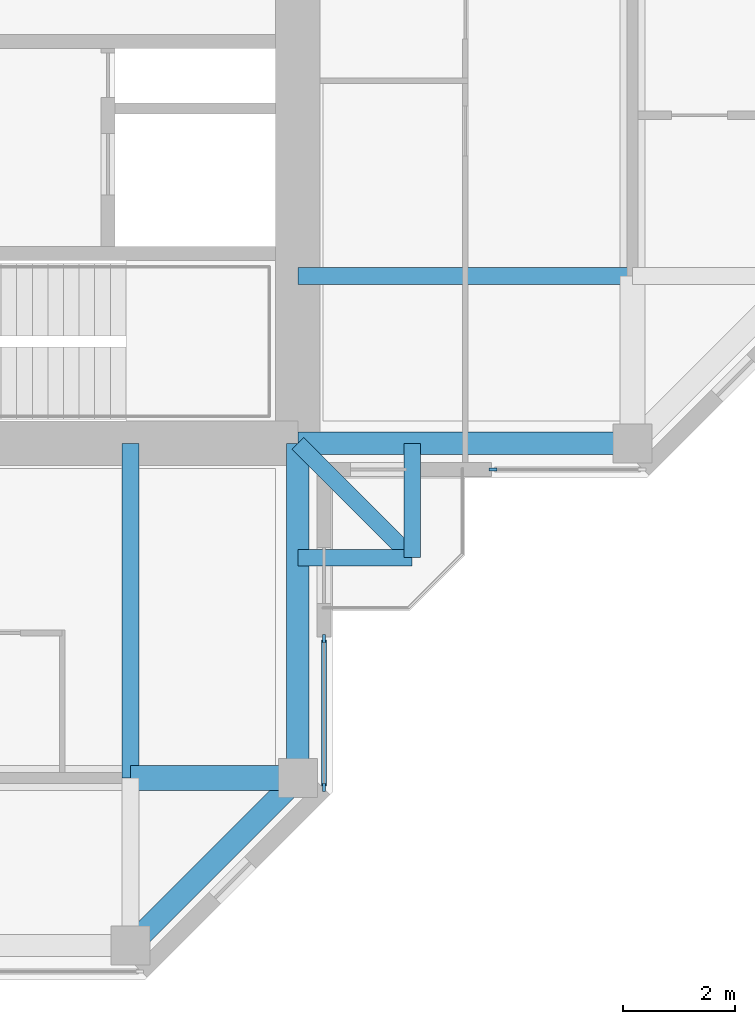
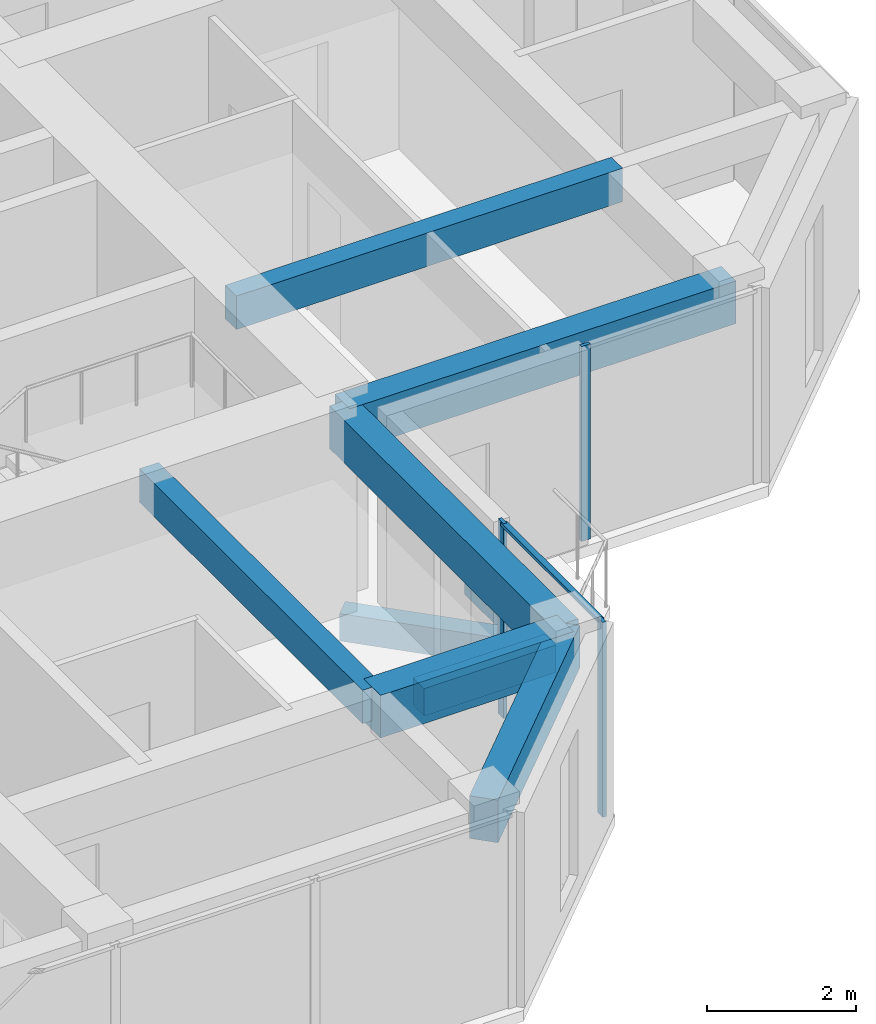
# One storey, part 3 of 13: 9 beams, 4 members, 2 elements without a shape of their own.
"""IFC4 building model written with IfcOpenShell, lengths in metres."""

from ifc_helpers import new_model, si_unit, direction, frame, origin, origin_2d, place, context, subcontext, project, spatial, rectangle, extrude, material, material_profile, profile_set, type_object, element, aggregate, save


model = new_model("IFC4")

# Units and contexts
model_context = context("Model", 3, precision=1e-05, world=origin(), true_north=direction((0.0, 1.0)))
body_context = subcontext(model_context, "Body", "Model", "MODEL_VIEW")
ifc_project = project(units=[si_unit("LENGTHUNIT", "METRE"), si_unit("AREAUNIT", "SQUARE_METRE"), si_unit("VOLUMEUNIT", "CUBIC_METRE"), si_unit("PLANEANGLEUNIT", "RADIAN"), si_unit("MASSUNIT", "GRAM", prefix="KILO")], contexts=[model_context])

# Site, building, storey
site_placement = place(None, origin())
site = spatial("IfcSite", under=ifc_project, at=site_placement, CompositionType="ELEMENT")
building_placement = place(site_placement, origin())
building = spatial("IfcBuilding", under=site, at=building_placement, Name="Torre Cruceta", CompositionType="ELEMENT")
storey_placement = place(building_placement, frame((0.0, 0.0, 284.89990234375)))
storey = spatial("IfcBuildingStorey", under=building, at=storey_placement, Name="L74", CompositionType="ELEMENT", Elevation=284.89990234375)

# Beams
ifc_material_1 = material(Name="Concrete G60 (fck 60 MPa)", Category="concrete")
ifc_material_profile_1 = material_profile(ifc_material_1, rectangle(XDim=0.300048828125, YDim=0.449951171875, at=origin_2d()), Name="RC 300X450")
ifc_profile_set_1 = profile_set([ifc_material_profile_1], Name="Concrete G60 (fck 60 MPa)")
beam_type_1 = type_object("IfcBeamType", Name="BALCONY CANTILEVER BEAM RC 300X450", PredefinedType="BEAM", material=ifc_profile_set_1)
beam_1_placement = place(storey_placement, frame((9.0, -9.0, -0.40478515625), z_axis=(0.707106781187, -0.707106781187, 0.0), x_axis=(0.707106781187, 0.707106781187, 0.0)))
element("IfcBeam", 1, at=beam_1_placement, inside=storey, type_object=beam_type_1, Name="BB1 balcony beam L74 S", PredefinedType="BEAM", context=body_context, shape_type="SweptSolid", body=[
    extrude(rectangle(XDim=0.300048828125, YDim=0.449951171875, at=origin_2d()), origin(), (0.0, 0.0, 1.0), 2.89990234375),
])
for number, where, z_axis, x_axis, name in (
    (2, (11.050537109375, -9.0, -0.40478515625), (0.0, -1.0, 0.0), (1.0, 0.0, 0.0), "BB1 balcony edge beam L74 S-X"),
    (3, (9.0, -11.050537109375, -0.40478515625), (1.0, 0.0, 0.0), (0.0, 1.0, 0.0), "BB1 balcony edge beam L74 S-Y"),
):
    element("IfcBeam", number, at=place(storey_placement, frame(where, z_axis=z_axis, x_axis=x_axis)), inside=storey, type_object=beam_type_1, Name=name, PredefinedType="BEAM", context=body_context, shape_type="SweptSolid", body=[
        extrude(rectangle(XDim=0.300048828125, YDim=0.449951171875, at=origin_2d()), origin(), (0.0, 0.0, 1.0), 2.050537109375),
    ])
ifc_material_2 = material(Name="Concrete G60 (fck 60 MPa)", Category="concrete")
ifc_material_profile_2 = material_profile(ifc_material_2, rectangle(XDim=0.300048828125, YDim=0.550048828125, at=origin_2d()), Name="RC 300X550")
ifc_profile_set_2 = profile_set([ifc_material_profile_2], Name="Concrete G60 (fck 60 MPa)")
beam_type_2 = type_object("IfcBeamType", Name="COLUMN LINE BEAM RC 300X550", PredefinedType="BEAM", material=ifc_profile_set_2)
for number, where, z_axis, x_axis, name in (
    (4, (9.0, -6.0, 2.925048828125), (1.0, 0.0, 0.0), (0.0, 1.0, 0.0), "LB10 L74 E col- 1"),
    (5, (6.0, -9.0, 2.925048828125), (0.0, -1.0, 0.0), (1.0, 0.0, 0.0), "LB10 L74 S col+ 1"),
):
    element("IfcBeam", number, at=place(storey_placement, frame(where, z_axis=z_axis, x_axis=x_axis)), inside=storey, type_object=beam_type_2, Name=name, PredefinedType="BEAM", context=body_context, shape_type="SweptSolid", body=[
        extrude(rectangle(XDim=0.300048828125, YDim=0.550048828125, at=origin_2d()), origin(), (0.0, 0.0, 1.0), 6.0),
    ])
ifc_material_3 = material(Name="Concrete G60 (fck 60 MPa)", Category="concrete")
ifc_material_profile_3 = material_profile(ifc_material_3, rectangle(XDim=0.449951171875, YDim=0.699951171875, at=origin_2d()), Name="RC 450X700")
ifc_profile_set_3 = profile_set([ifc_material_profile_3], Name="Concrete G60 (fck 60 MPa)")
beam_type_3 = type_object("IfcBeamType", Name="CROSS BEAM RC 450X700", PredefinedType="BEAM", material=ifc_profile_set_3)
beam_2_placement = place(storey_placement, frame((6.0, -15.0, 2.85009765625), z_axis=(1.0, 0.0, 0.0), x_axis=(0.0, 1.0, 0.0)))
element("IfcBeam", 6, at=beam_2_placement, inside=storey, type_object=beam_type_3, Name="GB8 L74 S cross15 4", PredefinedType="BEAM", context=body_context, shape_type="SweptSolid", body=[
    extrude(rectangle(XDim=0.449951171875, YDim=0.699951171875, at=origin_2d()), origin(), (0.0, 0.0, 1.0), 3.0),
])

# Curtain wall, member
ifc_material_4 = material(Name="Aluminium unitised curtain wall", Category="aluminium")
curtain_wall_type = type_object("IfcCurtainWallType", Name="CURTAIN WALL CW-E CO-LIVING TOP", PredefinedType="USERDEFINED", material=ifc_material_4)
curtain_wall_1_placement = place(storey_placement, origin())
curtain_wall_1 = element("IfcCurtainWall", 7, at=curtain_wall_1_placement, inside=storey, type_object=curtain_wall_type, Name="CW-E L74 E side 00", ObjectType="UNITISED", PredefinedType="USERDEFINED")
ifc_material_5 = material(Name="Aluminium mullion", Category="aluminium")
ifc_material_profile_4 = material_profile(ifc_material_5, rectangle(XDim=0.054931640625, YDim=0.139892578125, at=origin_2d()), Name="AL 55X140")
ifc_profile_set_4 = profile_set([ifc_material_profile_4], Name="Aluminium mullion")
member_type_1 = type_object("IfcMemberType", Name="CW-E MULLION 55X140", PredefinedType="MULLION", material=ifc_profile_set_4)
member_1_placement = place(storey_placement, frame((12.49755859375, -9.469970703125, 0.0), z_axis=(0.0, 0.0, 1.0), x_axis=(0.0, 1.0, 0.0)))
member_1 = element("IfcMember", 8, at=member_1_placement, type_object=member_type_1, Name="CW-E mullion 1", PredefinedType="MULLION", context=body_context, shape_type="SweptSolid", body=[
    extrude(rectangle(XDim=0.054931640625, YDim=0.139892578125, at=origin_2d()), origin(), (0.0, 0.0, 1.0), 3.2001953125),
])
aggregate(curtain_wall_1, [member_1])

# Curtain wall, members
curtain_wall_2_placement = place(storey_placement, origin())
curtain_wall_2 = element("IfcCurtainWall", 9, at=curtain_wall_2_placement, inside=storey, type_object=curtain_wall_type, Name="CW-E L74 S side 19", ObjectType="UNITISED", PredefinedType="USERDEFINED")
member_2_placement = place(storey_placement, frame((9.469970703125, -15.167236328125, 0.0), z_axis=(0.0, 0.0, 1.0), x_axis=(-1.0, 0.0, 0.0)))
member_2 = element("IfcMember", 10, at=member_2_placement, type_object=member_type_1, Name="CW-E mullion 1", PredefinedType="MULLION", context=body_context, shape_type="SweptSolid", body=[
    extrude(rectangle(XDim=0.054931640625, YDim=0.139892578125, at=origin_2d()), origin(), (0.0, 0.0, 1.0), 3.2001953125),
])
member_3_placement = place(storey_placement, frame((9.469970703125, -12.49755859375, 0.0), z_axis=(0.0, 0.0, 1.0), x_axis=(-1.0, 0.0, 0.0)))
member_3 = element("IfcMember", 11, at=member_3_placement, type_object=member_type_1, Name="CW-E mullion 2", PredefinedType="MULLION", context=body_context, shape_type="SweptSolid", body=[
    extrude(rectangle(XDim=0.054931640625, YDim=0.139892578125, at=origin_2d()), origin(), (0.0, 0.0, 1.0), 3.2001953125),
])
ifc_material_6 = material(Name="Aluminium transom", Category="aluminium")
ifc_material_profile_5 = material_profile(ifc_material_6, rectangle(XDim=0.090087890625, YDim=0.054931640625, at=origin_2d()), Name="AL 90X55")
ifc_profile_set_5 = profile_set([ifc_material_profile_5], Name="Aluminium transom")
member_type_2 = type_object("IfcMemberType", Name="CW-E TRANSOM 55X90", PredefinedType="USERDEFINED", material=ifc_profile_set_5)
member_4_placement = place(storey_placement, frame((9.469970703125, -15.1396484375, 3.172607421875), z_axis=(0.0, 1.0, 0.0), x_axis=(-1.0, 0.0, 0.0)))
member_4 = element("IfcMember", 12, at=member_4_placement, type_object=member_type_2, Name="CW-E transom 1", ObjectType="TRANSOM", PredefinedType="USERDEFINED", context=body_context, shape_type="SweptSolid", body=[
    extrude(rectangle(XDim=0.090087890625, YDim=0.054931640625, at=origin_2d()), origin(), (0.0, 0.0, 1.0), 2.61474609375),
])
aggregate(curtain_wall_2, [member_2, member_3, member_4])

# Beams
ifc_material_7 = material(Name="Concrete G60 (fck 60 MPa)", Category="concrete")
ifc_material_profile_6 = material_profile(ifc_material_7, rectangle(XDim=0.39990234375, YDim=0.699951171875, at=origin_2d()), Name="RC 400X700")
ifc_profile_set_6 = profile_set([ifc_material_profile_6], Name="Concrete G60 (fck 60 MPa)")
beam_type_4 = type_object("IfcBeamType", Name="SPANDREL BEAM RC 400X700", PredefinedType="SPANDREL", material=ifc_profile_set_6)
for number, where, z_axis, x_axis, name in (
    (13, (9.0, -9.0, 2.85009765625), (1.0, 0.0, 0.0), (0.0, 1.0, 0.0), "SB8 L74 E side- 1"),
    (14, (9.0, -9.0, 2.85009765625), (0.0, -1.0, 0.0), (1.0, 0.0, 0.0), "SB8 L74 S side+ 1"),
):
    element("IfcBeam", number, at=place(storey_placement, frame(where, z_axis=z_axis, x_axis=x_axis)), inside=storey, type_object=beam_type_4, Name=name, PredefinedType="SPANDREL", context=body_context, shape_type="SweptSolid", body=[
        extrude(rectangle(XDim=0.39990234375, YDim=0.699951171875, at=origin_2d()), origin(), (0.0, 0.0, 1.0), 6.0),
    ])
beam_3_placement = place(storey_placement, frame((9.0, -15.0, 2.85009765625), z_axis=(-0.707106781187, -0.707106781187, 0.0), x_axis=(0.707106781187, -0.707106781187, 0.0)))
element("IfcBeam", 15, at=beam_3_placement, inside=storey, type_object=beam_type_4, Name="SB8 L74 S side+ 2", PredefinedType="SPANDREL", context=body_context, shape_type="SweptSolid", body=[
    extrude(rectangle(XDim=0.39990234375, YDim=0.699951171875, at=origin_2d()), origin(), (0.0, 0.0, 1.0), 4.24267578125),
])

save(model, "model.ifc")
